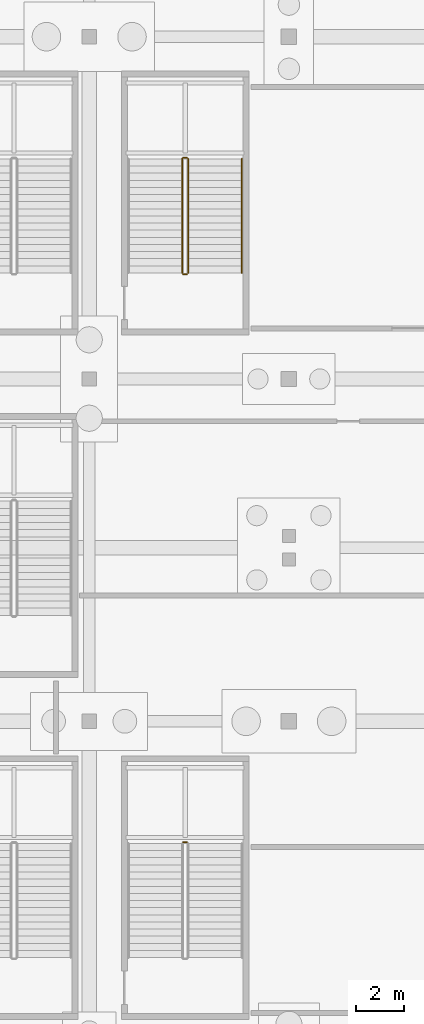
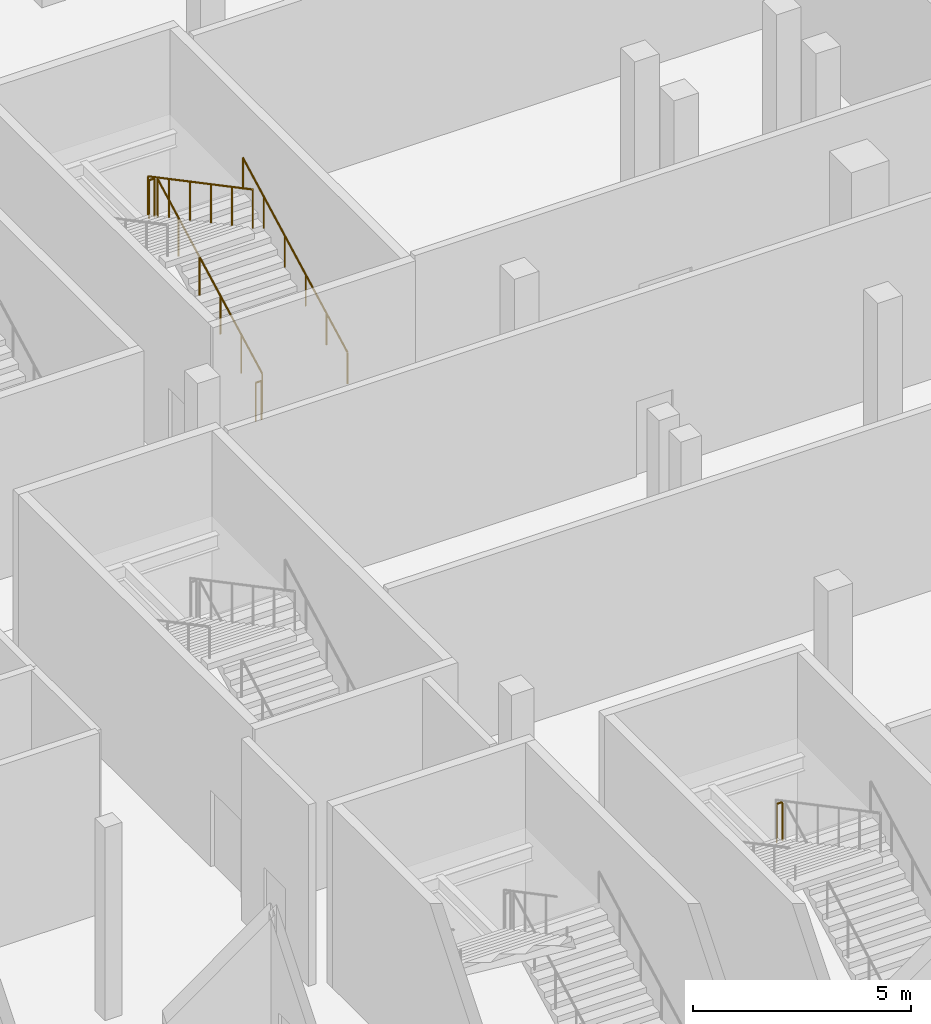
# One storey, part 70 of 89: 6 railings.
"""IFC4 building model written with IfcOpenShell, lengths in metres."""

from ifc_helpers import new_model, si_unit, direction, frame, origin, origin_2d, place, context, subcontext, project, spatial, circle, extrude, material, type_object, element, save


model = new_model("IFC4")

# Units and contexts
model_context = context("Model", 3, precision=1e-05, world=origin(), true_north=direction((0.0, 1.0)))
body_context = subcontext(model_context, "Body", "Model", "MODEL_VIEW")
ifc_project = project(units=[si_unit("LENGTHUNIT", "METRE"), si_unit("AREAUNIT", "SQUARE_METRE"), si_unit("VOLUMEUNIT", "CUBIC_METRE"), si_unit("PLANEANGLEUNIT", "RADIAN"), si_unit("MASSUNIT", "GRAM", prefix="KILO")], contexts=[model_context])

# Site, building, storey
site_placement = place(None, origin())
site = spatial("IfcSite", under=ifc_project, at=site_placement, CompositionType="ELEMENT")
building_placement = place(site_placement, origin())
building = spatial("IfcBuilding", under=site, at=building_placement, Name="Koshinbarg Plaza Stadium", CompositionType="ELEMENT")
storey_placement = place(building_placement, origin())
storey = spatial("IfcBuildingStorey", under=building, at=storey_placement, Name="L00", CompositionType="ELEMENT", Elevation=0.0)

# Railings
ifc_material_1 = material(Name="Galvanized painted steel guardrail", Category="steel")
railing_type_1 = type_object("IfcRailingType", Name="RL-GUARD-1100", PredefinedType="GUARDRAIL", material=ifc_material_1)
railing_1_placement = place(storey_placement, frame((50.31005859375, 63.610107421875, 2.699951171875)))
element("IfcRailing", 1, at=railing_1_placement, inside=storey, type_object=railing_type_1, Name="L00 VL02 stair guard 2", PredefinedType="GUARDRAIL", context=body_context, shape_type="SweptSolid", body=[
    extrude(circle(Radius=0.02392578125, at=origin_2d()), frame((0.0, 0.0, 1.076171875), z_axis=(-1.0, 0.0, 0.0), x_axis=(0.0, -1.0, 0.0)), (0.0, 0.0, 1.0), 0.150146484375),
    extrude(circle(Radius=0.02099609375, at=origin_2d()), origin(), (0.0, 0.0, 1.0), 1.052001953125),
    extrude(circle(Radius=0.02099609375, at=origin_2d()), frame((-0.150146484375, 0.0, 0.0)), (0.0, 0.0, 1.0), 1.052001953125),
])
railing_2_placement = place(storey_placement, frame((50.360107421875, 87.56005859375, 0.158935546875)))
element("IfcRailing", 2, at=railing_2_placement, inside=storey, type_object=railing_type_1, Name="L00 VL03 stair guard 1", PredefinedType="GUARDRAIL", context=body_context, shape_type="SweptSolid", body=[
    extrude(circle(Radius=0.02392578125, at=origin_2d()), frame((0.0, 0.0, 1.076171875), z_axis=(0.0, 0.883802130504, 0.467860870469), x_axis=(-1.0, 0.0, 0.0)), (0.0, 0.0, 1.0), 5.43115234375),
    extrude(circle(Radius=0.02099609375, at=origin_2d()), origin(), (0.0, 0.0, 1.0), 1.052001953125),
    extrude(circle(Radius=0.02099609375, at=origin_2d()), frame((0.0, 0.9599609375, 0.50830078125)), (0.0, 0.0, 1.0), 1.052001953125),
    extrude(circle(Radius=0.02099609375, at=origin_2d()), frame((0.0, 1.919921875, 1.016357421875)), (0.0, 0.0, 1.0), 1.052001953125),
    extrude(circle(Radius=0.02099609375, at=origin_2d()), frame((0.0, 2.880126953125, 1.524658203125)), (0.0, 0.0, 1.0), 1.052001953125),
    extrude(circle(Radius=0.02099609375, at=origin_2d()), frame((0.0, 3.840087890625, 2.03271484375)), (0.0, 0.0, 1.0), 1.052001953125),
    extrude(circle(Radius=0.02099609375, at=origin_2d()), frame((0.0, 4.800048828125, 2.541015625)), (0.0, 0.0, 1.0), 1.052001953125),
])
railing_3_placement = place(storey_placement, frame((50.31005859375, 92.409912109375, 2.699951171875)))
element("IfcRailing", 3, at=railing_3_placement, inside=storey, type_object=railing_type_1, Name="L00 VL03 stair guard 2", PredefinedType="GUARDRAIL", context=body_context, shape_type="SweptSolid", body=[
    extrude(circle(Radius=0.02392578125, at=origin_2d()), frame((0.0, 0.0, 1.076171875), z_axis=(-1.0, 0.0, 0.0), x_axis=(0.0, -1.0, 0.0)), (0.0, 0.0, 1.0), 0.150146484375),
    extrude(circle(Radius=0.02099609375, at=origin_2d()), origin(), (0.0, 0.0, 1.0), 1.052001953125),
    extrude(circle(Radius=0.02099609375, at=origin_2d()), frame((-0.150146484375, 0.0, 0.0)), (0.0, 0.0, 1.0), 1.052001953125),
])
railing_4_placement = place(storey_placement, frame((50.110107421875, 92.360107421875, 2.85888671875)))
element("IfcRailing", 4, at=railing_4_placement, inside=storey, type_object=railing_type_1, Name="L00 VL03 stair guard 3", PredefinedType="GUARDRAIL", context=body_context, shape_type="SweptSolid", body=[
    extrude(circle(Radius=0.02392578125, at=origin_2d()), frame((0.0, 0.0, 1.076171875), z_axis=(0.0, -0.883802130504, 0.467860870469), x_axis=(1.0, 0.0, 0.0)), (0.0, 0.0, 1.0), 5.43115234375),
    extrude(circle(Radius=0.02099609375, at=origin_2d()), origin(), (0.0, 0.0, 1.0), 1.052001953125),
    extrude(circle(Radius=0.02099609375, at=origin_2d()), frame((0.0, -0.9599609375, 0.50830078125)), (0.0, 0.0, 1.0), 1.052001953125),
    extrude(circle(Radius=0.02099609375, at=origin_2d()), frame((0.0, -1.919921875, 1.016357421875)), (0.0, 0.0, 1.0), 1.052001953125),
    extrude(circle(Radius=0.02099609375, at=origin_2d()), frame((0.0, -2.880126953125, 1.524658203125)), (0.0, 0.0, 1.0), 1.052001953125),
    extrude(circle(Radius=0.02099609375, at=origin_2d()), frame((0.0, -3.840087890625, 2.03271484375)), (0.0, 0.0, 1.0), 1.052001953125),
    extrude(circle(Radius=0.02099609375, at=origin_2d()), frame((0.0, -4.800048828125, 2.541015625)), (0.0, 0.0, 1.0), 1.052001953125),
])
railing_5_placement = place(storey_placement, frame((50.31005859375, 87.510009765625, 0.0)))
element("IfcRailing", 5, at=railing_5_placement, inside=storey, type_object=railing_type_1, Name="L00 VL03 stair guard 4", PredefinedType="GUARDRAIL", context=body_context, shape_type="SweptSolid", body=[
    extrude(circle(Radius=0.02392578125, at=origin_2d()), frame((0.0, 0.0, 1.076171875), z_axis=(-1.0, 0.0, 0.0), x_axis=(0.0, -1.0, 0.0)), (0.0, 0.0, 1.0), 0.150146484375),
    extrude(circle(Radius=0.02099609375, at=origin_2d()), origin(), (0.0, 0.0, 1.0), 1.052001953125),
    extrude(circle(Radius=0.02099609375, at=origin_2d()), frame((-0.150146484375, 0.0, 0.0)), (0.0, 0.0, 1.0), 1.052001953125),
])
ifc_material_2 = material(Name="Brushed stainless steel handrail", Category="steel")
railing_type_2 = type_object("IfcRailingType", Name="RL-HAND-900", PredefinedType="HANDRAIL", material=ifc_material_2)
railing_6_placement = place(storey_placement, frame((52.6201171875, 87.56005859375, 0.158935546875)))
element("IfcRailing", 6, at=railing_6_placement, inside=storey, type_object=railing_type_2, Name="L00 VL03 stair handrail 1", PredefinedType="HANDRAIL", context=body_context, shape_type="SweptSolid", body=[
    extrude(circle(Radius=0.02392578125, at=origin_2d()), frame((0.0, 0.0, 0.8759765625), z_axis=(0.0, 0.883802130504, 0.467860870469), x_axis=(-1.0, 0.0, 0.0)), (0.0, 0.0, 1.0), 5.43115234375),
    extrude(circle(Radius=0.02099609375, at=origin_2d()), origin(), (0.0, 0.0, 1.0), 0.851806640625),
    extrude(circle(Radius=0.02099609375, at=origin_2d()), frame((0.0, 0.9599609375, 0.50830078125)), (0.0, 0.0, 1.0), 0.851806640625),
    extrude(circle(Radius=0.02099609375, at=origin_2d()), frame((0.0, 1.919921875, 1.016357421875)), (0.0, 0.0, 1.0), 0.851806640625),
    extrude(circle(Radius=0.02099609375, at=origin_2d()), frame((0.0, 2.880126953125, 1.524658203125)), (0.0, 0.0, 1.0), 0.851806640625),
    extrude(circle(Radius=0.02099609375, at=origin_2d()), frame((0.0, 3.840087890625, 2.03271484375)), (0.0, 0.0, 1.0), 0.851806640625),
    extrude(circle(Radius=0.02099609375, at=origin_2d()), frame((0.0, 4.800048828125, 2.541015625)), (0.0, 0.0, 1.0), 0.851806640625),
])

save(model, "model.ifc")
